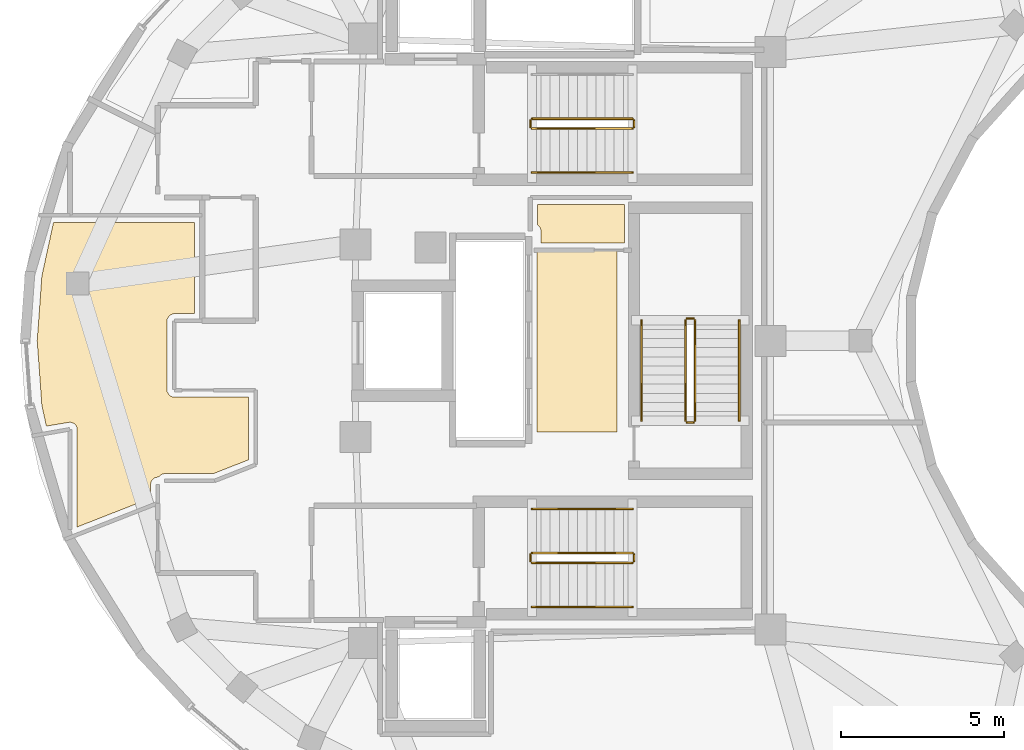
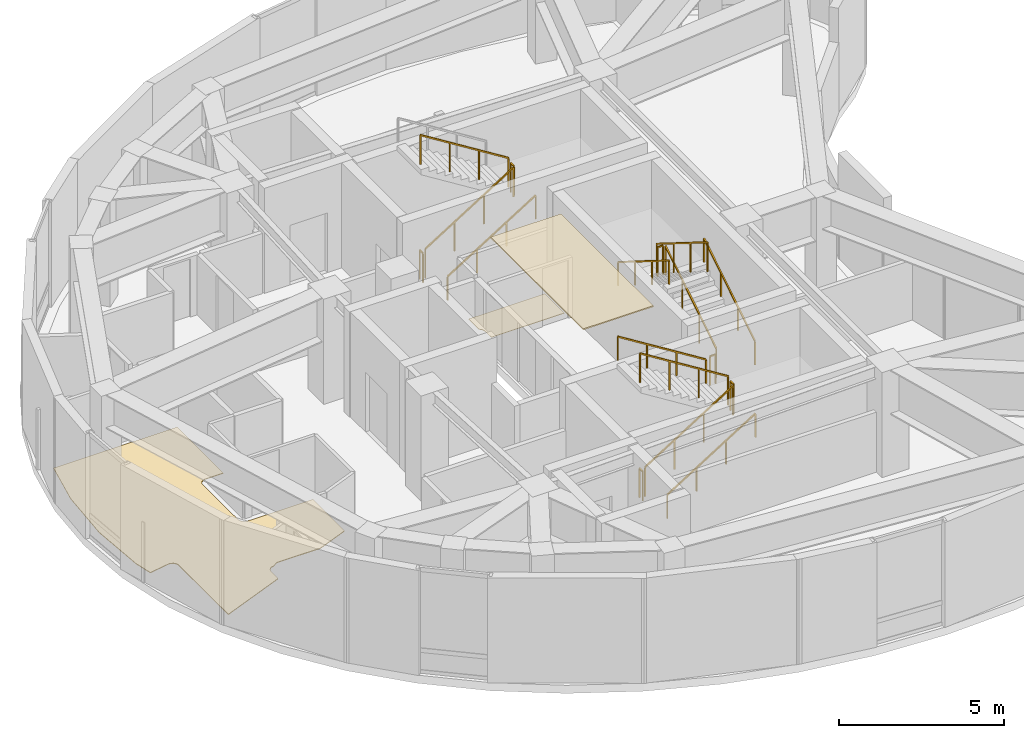
# One storey, part 7 of 8: 17 railings, 3 coverings.
"""IFC4 building model written with IfcOpenShell, lengths in metres."""

from ifc_helpers import new_model, si_unit, direction, frame, origin, origin_2d, place, context, subcontext, project, spatial, polyline, rectangle, outline, extrude, material, layer, layer_set, type_object, element, save


model = new_model("IFC4")

# Units and contexts
model_context = context("Model", 3, precision=1e-05, world=origin(), true_north=direction((0.0, 1.0)))
body_context = subcontext(model_context, "Body", "Model", "MODEL_VIEW")
ifc_project = project(units=[si_unit("LENGTHUNIT", "METRE"), si_unit("AREAUNIT", "SQUARE_METRE"), si_unit("VOLUMEUNIT", "CUBIC_METRE"), si_unit("PLANEANGLEUNIT", "RADIAN"), si_unit("MASSUNIT", "GRAM", prefix="KILO")], contexts=[model_context])

# Site, building, storey
site_placement = place(None, origin())
site = spatial("IfcSite", under=ifc_project, at=site_placement, CompositionType="ELEMENT")
building_placement = place(site_placement, origin())
building = spatial("IfcBuilding", under=site, at=building_placement, Name="Korentha Bioscience Tower", CompositionType="ELEMENT")
storey_placement = place(building_placement, frame((0.0, 0.0, 331.199951171875)))
storey = spatial("IfcBuildingStorey", under=building, at=storey_placement, Name="L76", CompositionType="ELEMENT", Elevation=331.199951171875)

# Covering
ifc_material_1 = material(Name="Vitrified Porcelain Tile", Category="ceramic")
ifc_layer_1 = layer(ifc_material_1, 0.014892578125, Name="Vitrified Porcelain Tile")
ifc_layer_set_1 = layer_set([ifc_layer_1], Name="Vitrified Porcelain Tile (FL-CER)")
covering_type_1 = type_object("IfcCoveringType", Name="Anti-Slip Ceramic Wet-Room Tile Flooring 15", PredefinedType="FLOORING", material=ifc_layer_set_1)
covering_1_placement = place(storey_placement, origin())
element("IfcCovering", 1, at=covering_1_placement, inside=storey, type_object=covering_type_1, Name="L76 Accessible Staff WC Floor Finish", PredefinedType="FLOORING", context=body_context, shape_type="SweptSolid", body=[
    extrude(outline(polyline([(30.419921875, 31.169921875), (33.080078125, 31.169921875), (33.080078125, 29.989990234375), (30.530029296875, 29.989990234375), (30.52734375, 30.38427734375), (30.4970703125, 30.46875), (30.419921875, 30.546142578125), (30.419921875, 31.169921875)])), origin(), (0.0, 0.0, 1.0), 0.01513671875),
])

# Railings
ifc_material_2 = material(Name="Stainless Steel 304", Category="steel")
railing_type_1 = type_object("IfcRailingType", Name="Brushed Stainless Stair Handrail 900", PredefinedType="HANDRAIL", material=ifc_material_2)
for number, where, name in (
    (2, (30.25, 32.14990234375, 0.175048828125), "L76 ST-1 stair handrail 1"),
    (3, (30.25, 18.85009765625, 0.175048828125), "L76 ST-2 stair handrail 1"),
):
    element("IfcRailing", number, at=place(storey_placement, frame(where)), inside=storey, type_object=railing_type_1, Name=name, PredefinedType="HANDRAIL", context=body_context, shape_type="SweptSolid", body=[
        extrude(rectangle(XDim=0.048095703125, YDim=0.048095703125, at=origin_2d()), frame((0.0, 0.0, 0.8759765625), z_axis=(0.847998304005, 0.0, 0.529998940003), x_axis=(0.0, 1.0, 0.0)), (0.0, 0.0, 1.0), 3.632080078125),
        extrude(rectangle(XDim=0.0419921875, YDim=0.0419921875, at=origin_2d()), origin(), (0.0, 0.0, 1.0), 0.851806640625),
        extrude(rectangle(XDim=0.0419921875, YDim=0.0419921875, at=origin_2d()), frame((1.026611328125, 0.0, 0.6416015625)), (0.0, 0.0, 1.0), 0.851806640625),
        extrude(rectangle(XDim=0.0419921875, YDim=0.0419921875, at=origin_2d()), frame((2.053466796875, 0.0, 1.283447265625)), (0.0, 0.0, 1.0), 0.851806640625),
        extrude(rectangle(XDim=0.0419921875, YDim=0.0419921875, at=origin_2d()), frame((3.080078125, 0.0, 1.925048828125)), (0.0, 0.0, 1.0), 0.851806640625),
    ])
railing_1_placement = place(storey_placement, frame((33.330078125, 21.85009765625, 2.275146484375)))
element("IfcRailing", 4, at=railing_1_placement, inside=storey, type_object=railing_type_1, Name="L76 ST-2 stair handrail 2", PredefinedType="HANDRAIL", context=body_context, shape_type="SweptSolid", body=[
    extrude(rectangle(XDim=0.048095703125, YDim=0.048095703125, at=origin_2d()), frame((0.0, 0.0, 0.8759765625), z_axis=(-0.848028513186, 0.0, 0.529950602248), x_axis=(0.0, -1.0, 0.0)), (0.0, 0.0, 1.0), 3.632080078125),
    extrude(rectangle(XDim=0.0419921875, YDim=0.0419921875, at=origin_2d()), origin(), (0.0, 0.0, 1.0), 0.851806640625),
    extrude(rectangle(XDim=0.0419921875, YDim=0.0419921875, at=origin_2d()), frame((-1.026611328125, 0.0, 0.6416015625)), (0.0, 0.0, 1.0), 0.851806640625),
    extrude(rectangle(XDim=0.0419921875, YDim=0.0419921875, at=origin_2d()), frame((-2.053466796875, 0.0, 1.283203125)), (0.0, 0.0, 1.0), 0.851806640625),
    extrude(rectangle(XDim=0.0419921875, YDim=0.0419921875, at=origin_2d()), frame((-3.080078125, 0.0, 1.9248046875)), (0.0, 0.0, 1.0), 0.851806640625),
])
railing_2_placement = place(storey_placement, frame((36.60009765625, 24.550048828125, 0.175048828125)))
element("IfcRailing", 5, at=railing_2_placement, inside=storey, type_object=railing_type_1, Name="L76 ST-3 stair handrail 1", PredefinedType="HANDRAIL", context=body_context, shape_type="SweptSolid", body=[
    extrude(rectangle(XDim=0.048095703125, YDim=0.048095703125, at=origin_2d()), frame((0.0, 0.0, 0.8759765625), z_axis=(0.0, 0.847979421464, 0.530029150871), x_axis=(-1.0, 0.0, 0.0)), (0.0, 0.0, 1.0), 3.632080078125),
    extrude(rectangle(XDim=0.0419921875, YDim=0.0419921875, at=origin_2d()), origin(), (0.0, 0.0, 1.0), 0.851806640625),
    extrude(rectangle(XDim=0.0419921875, YDim=0.0419921875, at=origin_2d()), frame((0.0, 1.026611328125, 0.6416015625)), (0.0, 0.0, 1.0), 0.851806640625),
    extrude(rectangle(XDim=0.0419921875, YDim=0.0419921875, at=origin_2d()), frame((0.0, 2.05322265625, 1.283447265625)), (0.0, 0.0, 1.0), 0.851806640625),
    extrude(rectangle(XDim=0.0419921875, YDim=0.0419921875, at=origin_2d()), frame((0.0, 3.079833984375, 1.925048828125)), (0.0, 0.0, 1.0), 0.851806640625),
])
railing_3_placement = place(storey_placement, frame((33.60009765625, 27.6298828125, 2.275146484375)))
element("IfcRailing", 6, at=railing_3_placement, inside=storey, type_object=railing_type_1, Name="L76 ST-3 stair handrail 2", PredefinedType="HANDRAIL", context=body_context, shape_type="SweptSolid", body=[
    extrude(rectangle(XDim=0.048095703125, YDim=0.048095703125, at=origin_2d()), frame((0.0, 0.0, 0.8759765625), z_axis=(0.0, -0.848009633417, 0.529980812513), x_axis=(1.0, 0.0, 0.0)), (0.0, 0.0, 1.0), 3.6318359375),
    extrude(rectangle(XDim=0.0419921875, YDim=0.0419921875, at=origin_2d()), origin(), (0.0, 0.0, 1.0), 0.851806640625),
    extrude(rectangle(XDim=0.0419921875, YDim=0.0419921875, at=origin_2d()), frame((0.0, -1.026611328125, 0.6416015625)), (0.0, 0.0, 1.0), 0.851806640625),
    extrude(rectangle(XDim=0.0419921875, YDim=0.0419921875, at=origin_2d()), frame((0.0, -2.05322265625, 1.283203125)), (0.0, 0.0, 1.0), 0.851806640625),
    extrude(rectangle(XDim=0.0419921875, YDim=0.0419921875, at=origin_2d()), frame((0.0, -3.079833984375, 1.9248046875)), (0.0, 0.0, 1.0), 0.851806640625),
])

# Covering
ifc_material_3 = material(Name="Honed Travertine Limestone", Category="masonry")
ifc_layer_2 = layer(ifc_material_3, 0.02490234375, Name="Honed Travertine Limestone")
ifc_layer_set_2 = layer_set([ifc_layer_2], Name="Honed Travertine Limestone (FL-STN)")
covering_type_2 = type_object("IfcCoveringType", Name="Honed Travertine Lobby Stone Flooring 25", PredefinedType="FLOORING", material=ifc_layer_set_2)
covering_2_placement = place(storey_placement, origin())
element("IfcCovering", 7, at=covering_2_placement, inside=storey, type_object=covering_type_2, Name="L76 Research Colloquium Seminar Room 01 Floor Finish", PredefinedType="FLOORING", context=body_context, shape_type="SweptSolid", body=[
    extrude(outline(polyline([(15.240234375, 25.0205078125), (15.09814453125, 26.999755859375), (15.240234375, 28.97900390625), (15.598876953125, 30.6279296875), (19.919921875, 30.6279296875), (19.919921875, 27.830078125), (19.265869140625, 27.827392578125), (19.14599609375, 27.770751953125), (19.083251953125, 27.677001953125), (19.070068359375, 27.60009765625), (19.076904296875, 25.444580078125), (19.14599609375, 25.329345703125), (19.2021484375, 25.2919921875), (19.2880859375, 25.270263671875), (21.570068359375, 25.27001953125), (21.570068359375, 23.35302734375), (20.490234375, 22.929931640625), (19.0, 22.929931640625), (18.922119140625, 22.91650390625), (18.810546875, 22.830078125), (18.681396484375, 22.797119140625), (18.59228515625, 22.69873046875), (18.5703125, 22.61083984375), (18.570068359375, 22.177490234375), (16.322021484375, 21.29638671875), (16.3154296875, 24.3388671875), (16.290771484375, 24.39892578125), (16.233642578125, 24.463134765625), (16.113037109375, 24.508544921875), (15.37841796875, 24.385498046875), (15.240234375, 25.0205078125)])), origin(), (0.0, 0.0, 1.0), 0.025146484375),
])

# Railings
ifc_material_4 = material(Name="Painted Steel S275", Category="steel")
railing_type_2 = type_object("IfcRailingType", Name="Painted Steel Stair Well Guardrail 1100", PredefinedType="GUARDRAIL", material=ifc_material_4)
railing_4_placement = place(storey_placement, frame((30.25, 33.5, 0.175048828125)))
element("IfcRailing", 8, at=railing_4_placement, inside=storey, type_object=railing_type_2, Name="L76 ST-1 stair guard 1", PredefinedType="GUARDRAIL", context=body_context, shape_type="SweptSolid", body=[
    extrude(rectangle(XDim=0.048095703125, YDim=0.048095703125, at=origin_2d()), frame((0.0, 0.0, 1.076171875), z_axis=(0.847998304005, 0.0, 0.529998940003), x_axis=(0.0, 1.0, 0.0)), (0.0, 0.0, 1.0), 3.632080078125),
    extrude(rectangle(XDim=0.0419921875, YDim=0.0419921875, at=origin_2d()), origin(), (0.0, 0.0, 1.0), 1.052001953125),
    extrude(rectangle(XDim=0.0419921875, YDim=0.0419921875, at=origin_2d()), frame((1.026611328125, 0.0, 0.6416015625)), (0.0, 0.0, 1.0), 1.052001953125),
    extrude(rectangle(XDim=0.0419921875, YDim=0.0419921875, at=origin_2d()), frame((2.053466796875, 0.0, 1.283447265625)), (0.0, 0.0, 1.0), 1.052001953125),
    extrude(rectangle(XDim=0.0419921875, YDim=0.0419921875, at=origin_2d()), frame((3.080078125, 0.0, 1.925048828125)), (0.0, 0.0, 1.0), 1.052001953125),
])
railing_5_placement = place(storey_placement, frame((33.3798828125, 33.550048828125, 2.10009765625)))
element("IfcRailing", 9, at=railing_5_placement, inside=storey, type_object=railing_type_2, Name="L76 ST-1 stair guard 2", PredefinedType="GUARDRAIL", context=body_context, shape_type="SweptSolid", body=[
    extrude(rectangle(XDim=0.048095703125, YDim=0.048095703125, at=origin_2d()), frame((0.0, 0.0, 1.076171875), z_axis=(0.0, 1.0, 0.0), x_axis=(-1.0, 0.0, 0.0)), (0.0, 0.0, 1.0), 0.199951171875),
    extrude(rectangle(XDim=0.0419921875, YDim=0.0419921875, at=origin_2d()), origin(), (0.0, 0.0, 1.0), 1.052001953125),
    extrude(rectangle(XDim=0.0419921875, YDim=0.0419921875, at=origin_2d()), frame((0.0, 0.199951171875, 0.0)), (0.0, 0.0, 1.0), 1.052001953125),
])
railing_6_placement = place(storey_placement, frame((33.330078125, 33.800048828125, 2.275146484375)))
element("IfcRailing", 10, at=railing_6_placement, inside=storey, type_object=railing_type_2, Name="L76 ST-1 stair guard 3", PredefinedType="GUARDRAIL", context=body_context, shape_type="SweptSolid", body=[
    extrude(rectangle(XDim=0.048095703125, YDim=0.048095703125, at=origin_2d()), frame((0.0, 0.0, 1.076171875), z_axis=(-0.848028513186, 0.0, 0.529950602248), x_axis=(0.0, -1.0, 0.0)), (0.0, 0.0, 1.0), 3.632080078125),
    extrude(rectangle(XDim=0.0419921875, YDim=0.0419921875, at=origin_2d()), origin(), (0.0, 0.0, 1.0), 1.052001953125),
    extrude(rectangle(XDim=0.0419921875, YDim=0.0419921875, at=origin_2d()), frame((-1.026611328125, 0.0, 0.6416015625)), (0.0, 0.0, 1.0), 1.052001953125),
    extrude(rectangle(XDim=0.0419921875, YDim=0.0419921875, at=origin_2d()), frame((-2.053466796875, 0.0, 1.283203125)), (0.0, 0.0, 1.0), 1.052001953125),
    extrude(rectangle(XDim=0.0419921875, YDim=0.0419921875, at=origin_2d()), frame((-3.080078125, 0.0, 1.9248046875)), (0.0, 0.0, 1.0), 1.052001953125),
])
railing_7_placement = place(storey_placement, frame((30.199951171875, 33.550048828125, 0.0)))
element("IfcRailing", 11, at=railing_7_placement, inside=storey, type_object=railing_type_2, Name="L76 ST-1 stair guard 4", PredefinedType="GUARDRAIL", context=body_context, shape_type="SweptSolid", body=[
    extrude(rectangle(XDim=0.048095703125, YDim=0.048095703125, at=origin_2d()), frame((0.0, 0.0, 1.076171875), z_axis=(0.0, 1.0, 0.0), x_axis=(-1.0, 0.0, 0.0)), (0.0, 0.0, 1.0), 0.199951171875),
    extrude(rectangle(XDim=0.0419921875, YDim=0.0419921875, at=origin_2d()), origin(), (0.0, 0.0, 1.0), 1.052001953125),
    extrude(rectangle(XDim=0.0419921875, YDim=0.0419921875, at=origin_2d()), frame((0.0, 0.199951171875, 0.0)), (0.0, 0.0, 1.0), 1.052001953125),
])
railing_8_placement = place(storey_placement, frame((30.25, 20.199951171875, 0.175048828125)))
element("IfcRailing", 12, at=railing_8_placement, inside=storey, type_object=railing_type_2, Name="L76 ST-2 stair guard 1", PredefinedType="GUARDRAIL", context=body_context, shape_type="SweptSolid", body=[
    extrude(rectangle(XDim=0.048095703125, YDim=0.048095703125, at=origin_2d()), frame((0.0, 0.0, 1.076171875), z_axis=(0.847998304005, 0.0, 0.529998940003), x_axis=(0.0, 1.0, 0.0)), (0.0, 0.0, 1.0), 3.632080078125),
    extrude(rectangle(XDim=0.0419921875, YDim=0.0419921875, at=origin_2d()), origin(), (0.0, 0.0, 1.0), 1.052001953125),
    extrude(rectangle(XDim=0.0419921875, YDim=0.0419921875, at=origin_2d()), frame((1.026611328125, 0.0, 0.6416015625)), (0.0, 0.0, 1.0), 1.052001953125),
    extrude(rectangle(XDim=0.0419921875, YDim=0.0419921875, at=origin_2d()), frame((2.053466796875, 0.0, 1.283447265625)), (0.0, 0.0, 1.0), 1.052001953125),
    extrude(rectangle(XDim=0.0419921875, YDim=0.0419921875, at=origin_2d()), frame((3.080078125, 0.0, 1.925048828125)), (0.0, 0.0, 1.0), 1.052001953125),
])
railing_9_placement = place(storey_placement, frame((33.3798828125, 20.25, 2.10009765625)))
element("IfcRailing", 13, at=railing_9_placement, inside=storey, type_object=railing_type_2, Name="L76 ST-2 stair guard 2", PredefinedType="GUARDRAIL", context=body_context, shape_type="SweptSolid", body=[
    extrude(rectangle(XDim=0.048095703125, YDim=0.048095703125, at=origin_2d()), frame((0.0, 0.0, 1.076171875), z_axis=(0.0, 1.0, 0.0), x_axis=(-1.0, 0.0, 0.0)), (0.0, 0.0, 1.0), 0.199951171875),
    extrude(rectangle(XDim=0.0419921875, YDim=0.0419921875, at=origin_2d()), origin(), (0.0, 0.0, 1.0), 1.052001953125),
    extrude(rectangle(XDim=0.0419921875, YDim=0.0419921875, at=origin_2d()), frame((0.0, 0.199951171875, 0.0)), (0.0, 0.0, 1.0), 1.052001953125),
])
railing_10_placement = place(storey_placement, frame((33.330078125, 20.5, 2.275146484375)))
element("IfcRailing", 14, at=railing_10_placement, inside=storey, type_object=railing_type_2, Name="L76 ST-2 stair guard 3", PredefinedType="GUARDRAIL", context=body_context, shape_type="SweptSolid", body=[
    extrude(rectangle(XDim=0.048095703125, YDim=0.048095703125, at=origin_2d()), frame((0.0, 0.0, 1.076171875), z_axis=(-0.848028513186, 0.0, 0.529950602248), x_axis=(0.0, -1.0, 0.0)), (0.0, 0.0, 1.0), 3.632080078125),
    extrude(rectangle(XDim=0.0419921875, YDim=0.0419921875, at=origin_2d()), origin(), (0.0, 0.0, 1.0), 1.052001953125),
    extrude(rectangle(XDim=0.0419921875, YDim=0.0419921875, at=origin_2d()), frame((-1.026611328125, 0.0, 0.6416015625)), (0.0, 0.0, 1.0), 1.052001953125),
    extrude(rectangle(XDim=0.0419921875, YDim=0.0419921875, at=origin_2d()), frame((-2.053466796875, 0.0, 1.283203125)), (0.0, 0.0, 1.0), 1.052001953125),
    extrude(rectangle(XDim=0.0419921875, YDim=0.0419921875, at=origin_2d()), frame((-3.080078125, 0.0, 1.9248046875)), (0.0, 0.0, 1.0), 1.052001953125),
])
railing_11_placement = place(storey_placement, frame((30.199951171875, 20.25, 0.0)))
element("IfcRailing", 15, at=railing_11_placement, inside=storey, type_object=railing_type_2, Name="L76 ST-2 stair guard 4", PredefinedType="GUARDRAIL", context=body_context, shape_type="SweptSolid", body=[
    extrude(rectangle(XDim=0.048095703125, YDim=0.048095703125, at=origin_2d()), frame((0.0, 0.0, 1.076171875), z_axis=(0.0, 1.0, 0.0), x_axis=(-1.0, 0.0, 0.0)), (0.0, 0.0, 1.0), 0.199951171875),
    extrude(rectangle(XDim=0.0419921875, YDim=0.0419921875, at=origin_2d()), origin(), (0.0, 0.0, 1.0), 1.052001953125),
    extrude(rectangle(XDim=0.0419921875, YDim=0.0419921875, at=origin_2d()), frame((0.0, 0.199951171875, 0.0)), (0.0, 0.0, 1.0), 1.052001953125),
])
railing_12_placement = place(storey_placement, frame((35.25, 24.550048828125, 0.175048828125)))
element("IfcRailing", 16, at=railing_12_placement, inside=storey, type_object=railing_type_2, Name="L76 ST-3 stair guard 1", PredefinedType="GUARDRAIL", context=body_context, shape_type="SweptSolid", body=[
    extrude(rectangle(XDim=0.048095703125, YDim=0.048095703125, at=origin_2d()), frame((0.0, 0.0, 1.076171875), z_axis=(0.0, 0.847979421464, 0.530029150871), x_axis=(-1.0, 0.0, 0.0)), (0.0, 0.0, 1.0), 3.632080078125),
    extrude(rectangle(XDim=0.0419921875, YDim=0.0419921875, at=origin_2d()), origin(), (0.0, 0.0, 1.0), 1.052001953125),
    extrude(rectangle(XDim=0.0419921875, YDim=0.0419921875, at=origin_2d()), frame((0.0, 1.026611328125, 0.6416015625)), (0.0, 0.0, 1.0), 1.052001953125),
    extrude(rectangle(XDim=0.0419921875, YDim=0.0419921875, at=origin_2d()), frame((0.0, 2.05322265625, 1.283447265625)), (0.0, 0.0, 1.0), 1.052001953125),
    extrude(rectangle(XDim=0.0419921875, YDim=0.0419921875, at=origin_2d()), frame((0.0, 3.079833984375, 1.925048828125)), (0.0, 0.0, 1.0), 1.052001953125),
])
railing_13_placement = place(storey_placement, frame((35.199951171875, 27.679931640625, 2.10009765625)))
element("IfcRailing", 17, at=railing_13_placement, inside=storey, type_object=railing_type_2, Name="L76 ST-3 stair guard 2", PredefinedType="GUARDRAIL", context=body_context, shape_type="SweptSolid", body=[
    extrude(rectangle(XDim=0.048095703125, YDim=0.048095703125, at=origin_2d()), frame((0.0, 0.0, 1.076171875), z_axis=(-1.0, 0.0, 0.0), x_axis=(0.0, -1.0, 0.0)), (0.0, 0.0, 1.0), 0.199951171875),
    extrude(rectangle(XDim=0.0419921875, YDim=0.0419921875, at=origin_2d()), origin(), (0.0, 0.0, 1.0), 1.052001953125),
    extrude(rectangle(XDim=0.0419921875, YDim=0.0419921875, at=origin_2d()), frame((-0.199951171875, 0.0, 0.0)), (0.0, 0.0, 1.0), 1.052001953125),
])
railing_14_placement = place(storey_placement, frame((34.949951171875, 27.6298828125, 2.275146484375)))
element("IfcRailing", 18, at=railing_14_placement, inside=storey, type_object=railing_type_2, Name="L76 ST-3 stair guard 3", PredefinedType="GUARDRAIL", context=body_context, shape_type="SweptSolid", body=[
    extrude(rectangle(XDim=0.048095703125, YDim=0.048095703125, at=origin_2d()), frame((0.0, 0.0, 1.076171875), z_axis=(0.0, -0.848009633417, 0.529980812513), x_axis=(1.0, 0.0, 0.0)), (0.0, 0.0, 1.0), 3.6318359375),
    extrude(rectangle(XDim=0.0419921875, YDim=0.0419921875, at=origin_2d()), origin(), (0.0, 0.0, 1.0), 1.052001953125),
    extrude(rectangle(XDim=0.0419921875, YDim=0.0419921875, at=origin_2d()), frame((0.0, -1.026611328125, 0.6416015625)), (0.0, 0.0, 1.0), 1.052001953125),
    extrude(rectangle(XDim=0.0419921875, YDim=0.0419921875, at=origin_2d()), frame((0.0, -2.05322265625, 1.283203125)), (0.0, 0.0, 1.0), 1.052001953125),
    extrude(rectangle(XDim=0.0419921875, YDim=0.0419921875, at=origin_2d()), frame((0.0, -3.079833984375, 1.9248046875)), (0.0, 0.0, 1.0), 1.052001953125),
])
railing_15_placement = place(storey_placement, frame((35.199951171875, 24.5, 0.0)))
element("IfcRailing", 19, at=railing_15_placement, inside=storey, type_object=railing_type_2, Name="L76 ST-3 stair guard 4", PredefinedType="GUARDRAIL", context=body_context, shape_type="SweptSolid", body=[
    extrude(rectangle(XDim=0.048095703125, YDim=0.048095703125, at=origin_2d()), frame((0.0, 0.0, 1.076171875), z_axis=(-1.0, 0.0, 0.0), x_axis=(0.0, -1.0, 0.0)), (0.0, 0.0, 1.0), 0.199951171875),
    extrude(rectangle(XDim=0.0419921875, YDim=0.0419921875, at=origin_2d()), origin(), (0.0, 0.0, 1.0), 1.052001953125),
    extrude(rectangle(XDim=0.0419921875, YDim=0.0419921875, at=origin_2d()), frame((-0.199951171875, 0.0, 0.0)), (0.0, 0.0, 1.0), 1.052001953125),
])

# Covering
ifc_material_5 = material(Name="Perforated Powder-Coated Aluminium", Category="aluminium")
ifc_layer_3 = layer(ifc_material_5, 0.044921875, Name="Perforated Powder-Coated Aluminium")
ifc_layer_set_3 = layer_set([ifc_layer_3], Name="Perforated Powder-Coated Aluminium (CL-M45)")
covering_type_3 = type_object("IfcCoveringType", Name="Perforated Metal Laboratory Acoustic Ceiling 45", PredefinedType="CEILING", material=ifc_layer_set_3)
covering_3_placement = place(storey_placement, frame((0.0, 0.0, 3.8349609375)))
element("IfcCovering", 20, at=covering_3_placement, inside=storey, type_object=covering_type_3, Name="L76 Acoustic Metal Baffle Ceiling", PredefinedType="CEILING", context=body_context, shape_type="SweptSolid", body=[
    extrude(outline(polyline([(30.39990234375, 24.199951171875), (32.85009765625, 24.199951171875), (32.85009765625, 29.800048828125), (30.39990234375, 29.800048828125), (30.39990234375, 24.199951171875)])), origin(), (0.0, 0.0, 1.0), 0.045166015625),
])

save(model, "model.ifc")
